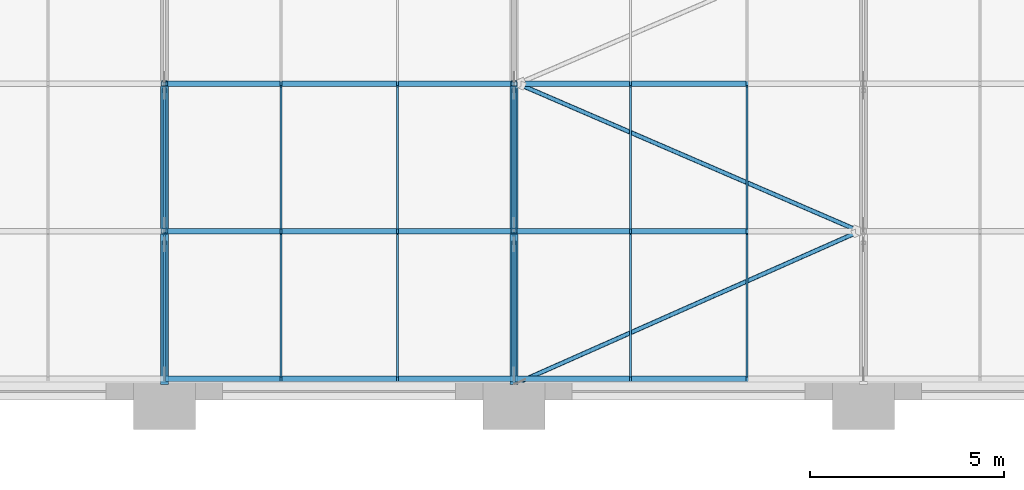
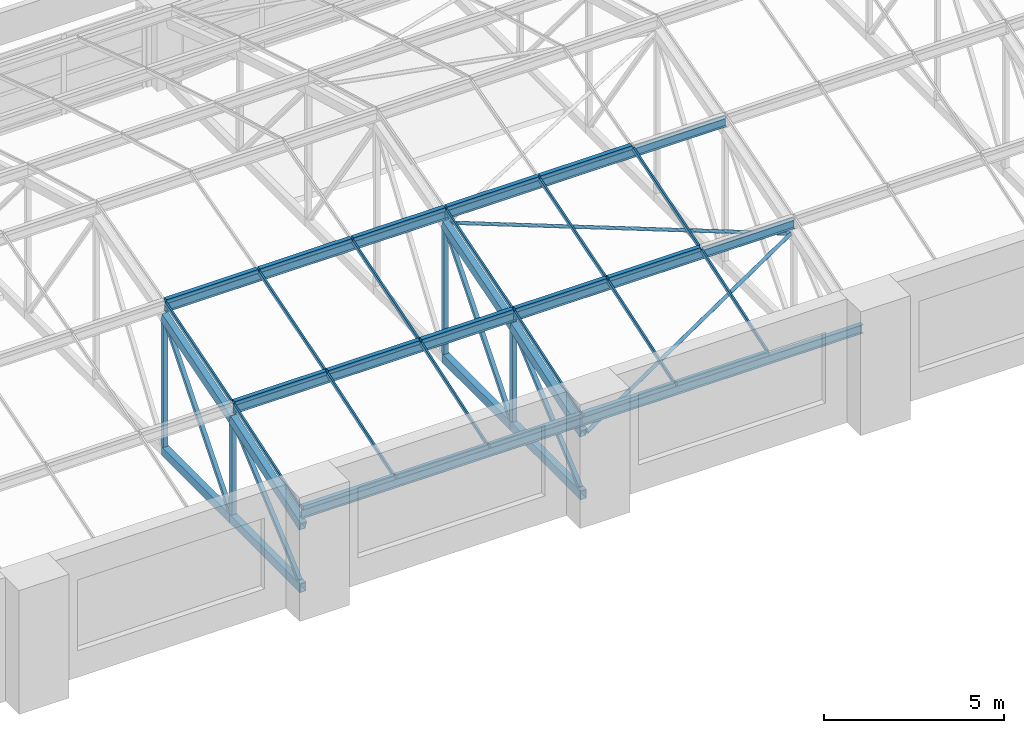
# One storey, part 16 of 82: 51 members, 1 element without a shape of its own.
"""IFC4 building model written with IfcOpenShell, lengths in metres."""

import ifcopenshell
import ifcopenshell.guid

model = None  # the IFC model being written
_history = None  # IfcOwnerHistory: only IFC2X3 demands one
_inside = {}  # id of a spatial element -> (the spatial element, [elements in it])
_under = {}  # id of a project, library or spatial element -> (it, [spatial elements below it])
_declared = {}  # id of a project -> (the project, [libraries it declares])
_typed = {}  # id of a type object -> (the type object, [elements of that type])
_made_of = {}  # id of a material, layer set ... -> (it, [elements and type objects made of it])


def new_model(schema):
    """Start an empty IFC model of exactly this schema.

    Asked for "IFC4X3", IfcOpenShell would pick the latest addendum, in which some entities
    have other attributes; the version numbers below select the first issue.
    IFC2X3 requires an IfcOwnerHistory on every rooted entity: one is made here for all.
    """
    global model, _history
    if schema == "IFC4X3":
        model = ifcopenshell.file(schema_version=(4, 3, 0, 0))
    else:
        model = ifcopenshell.file(schema=schema)
    _inside.clear()
    _under.clear()
    _declared.clear()
    _typed.clear()
    _made_of.clear()
    _history = None
    if model.schema == "IFC2X3":
        org = make("IfcOrganization", Name="unknown")
        user = make(
            "IfcPersonAndOrganization",
            ThePerson=make("IfcPerson", FamilyName="unknown"),
            TheOrganization=org,
        )
        app = make(
            "IfcApplication",
            ApplicationDeveloper=org,
            Version="unknown",
            ApplicationFullName="unknown",
            ApplicationIdentifier="unknown",
        )
        _history = make(
            "IfcOwnerHistory",
            OwningUser=user,
            OwningApplication=app,
            ChangeAction="ADDED",
            CreationDate=0,
        )
    return model


def make(cls, **values):
    """One entity of the class cls with the attributes given. An attribute that is None is left unset."""
    return model.create_entity(
        cls, **{name: value for name, value in values.items() if value is not None}
    )


def rooted(cls, **values):
    """An entity with a GlobalId (a new one), such as an element, a storey or a relation."""
    return make(cls, GlobalId=ifcopenshell.guid.new(), OwnerHistory=_history, **values)


def si_unit(unit_type, name, prefix=None):
    """IfcSIUnit, for example si_unit("LENGTHUNIT", "METRE", prefix="MILLI")."""
    return make("IfcSIUnit", UnitType=unit_type, Prefix=prefix, Name=name)


def assignment(units):
    """IfcUnitAssignment: the units of a project."""
    return None if units is None else make("IfcUnitAssignment", Units=units)


def point(xyz):
    """IfcCartesianPoint."""
    return None if xyz is None else make("IfcCartesianPoint", Coordinates=xyz)


def direction(xyz):
    """IfcDirection."""
    return None if xyz is None else make("IfcDirection", DirectionRatios=xyz)


def frame(location, z_axis=None, x_axis=None):
    """IfcAxis2Placement3D, a coordinate frame: its origin and axes. An axis left out is left unset."""
    return make(
        "IfcAxis2Placement3D",
        Location=point(location),
        Axis=direction(z_axis),
        RefDirection=direction(x_axis),
    )


def frame_2d(location, x_axis=None):
    """IfcAxis2Placement2D, a coordinate frame in the plane: its origin and x axis."""
    return make(
        "IfcAxis2Placement2D", Location=point(location), RefDirection=direction(x_axis)
    )


def origin():
    """The frame at (0, 0, 0) with its axes left unset."""
    return frame((0.0, 0.0, 0.0))


def origin_2d():
    """The frame at (0, 0) in the plane with its x axis left unset."""
    return frame_2d((0.0, 0.0))


def place(relative_to, where):
    """IfcLocalPlacement: puts the frame where relative to a parent placement (None: the world)."""
    return make(
        "IfcLocalPlacement", PlacementRelTo=relative_to, RelativePlacement=where
    )


def context(
    kind, dimensions, precision=None, world=None, true_north=None, identifier=None
):
    """IfcGeometricRepresentationContext, for example the 3D "Model" context."""
    return make(
        "IfcGeometricRepresentationContext",
        ContextIdentifier=identifier,
        ContextType=kind,
        CoordinateSpaceDimension=dimensions,
        Precision=precision,
        WorldCoordinateSystem=world,
        TrueNorth=true_north,
    )


def subcontext(parent, identifier, kind, view, scale=None):
    """IfcGeometricRepresentationSubContext, for example "Body" below "Model"."""
    return make(
        "IfcGeometricRepresentationSubContext",
        ContextIdentifier=identifier,
        ContextType=kind,
        ParentContext=parent,
        TargetScale=scale,
        TargetView=view,
    )


def project(units=None, contexts=None):
    """IfcProject with its units and contexts."""
    return rooted(
        "IfcProject",
        Name="project",
        RepresentationContexts=contexts,
        UnitsInContext=assignment(units),
    )


def spatial(cls, under=None, at=None, **own):
    """A site, building, storey or space (cls), placed at a placement, below another one or the project."""
    s = rooted(cls, ObjectPlacement=at, **own)
    if under is not None:
        _under.setdefault(under.id(), (under, []))[1].append(s)
    return s


def profile(cls, at=None, kind="AREA", **sizes):
    """A parametric profile (cls). Its sizes go by their IFC names, for example OverallWidth=200.0."""
    return make(cls, ProfileType=kind, Position=at, **sizes)


def rectangle(**sizes):
    """IfcRectangleProfileDef."""
    return profile("IfcRectangleProfileDef", **sizes)


def hollow_rectangle(**sizes):
    """IfcRectangleHollowProfileDef."""
    return profile("IfcRectangleHollowProfileDef", **sizes)


def hollow_circle(**sizes):
    """IfcCircleHollowProfileDef."""
    return profile("IfcCircleHollowProfileDef", **sizes)


def i_section(**sizes):
    """IfcIShapeProfileDef."""
    return profile("IfcIShapeProfileDef", **sizes)


def extrude(swept, where, along, depth):
    """IfcExtrudedAreaSolid: the profile swept, set in the frame where, extruded along a direction by depth."""
    return make(
        "IfcExtrudedAreaSolid",
        SweptArea=swept,
        Position=where,
        ExtrudedDirection=direction(along),
        Depth=depth,
    )


def shape(context_of_items, identifier, shape_type, items):
    """IfcShapeRepresentation: the items that make up one representation, for example the "Body"."""
    return make(
        "IfcShapeRepresentation",
        ContextOfItems=context_of_items,
        RepresentationIdentifier=identifier,
        RepresentationType=shape_type,
        Items=items,
    )


def material(Name=None, Category=None):
    """IfcMaterial."""
    return make("IfcMaterial", Name=Name, Category=Category)


def material_profile(
    of_material, cross_section, Name=None, Category=None, Priority=None
):
    """IfcMaterialProfile: a cross section and its material."""
    return make(
        "IfcMaterialProfile",
        Name=Name,
        Material=of_material,
        Profile=cross_section,
        Priority=Priority,
        Category=Category,
    )


def profile_set(profiles, Name=None, composite=None):
    """IfcMaterialProfileSet."""
    return make(
        "IfcMaterialProfileSet",
        Name=Name,
        MaterialProfiles=profiles,
        CompositeProfile=composite,
    )


def made_of(thing, what):
    """Note that an element or type object is made of a material, layer set ...; save() writes the relation."""
    if what is not None:
        _made_of.setdefault(what.id(), (what, []))[1].append(thing)
    return thing


def type_object(cls, material=None, **own):
    """A type object (cls), such as IfcWallType, which elements share."""
    return made_of(rooted(cls, **own), material)


def element(
    cls,
    number,
    at=None,
    inside=None,
    cuts=None,
    type_object=None,
    material=None,
    context=None,
    identifier="Body",
    shape_type=None,
    held_by="IfcProductDefinitionShape",
    body=None,
    shapes=None,
    **own,
):
    """One element of the class cls, such as IfcWall. Its Tag is "e" and its number.

    at: its placement. inside: the storey or other place that contains it. cuts: it is an
    opening in that element (IfcRelVoidsElement). A single representation is given by context,
    identifier, shape_type and body (its items); several are given by shapes. held_by: the class
    of the entity that holds the representations. save() writes the other relations.
    """
    e = rooted(cls, Tag="e%d" % number, ObjectPlacement=at, **own)
    if body is not None:
        shapes = [shape(context, identifier, shape_type, body)]
    if shapes is not None:
        e.Representation = make(held_by, Representations=shapes)
    if inside is not None:
        _inside.setdefault(inside.id(), (inside, []))[1].append(e)
    if cuts is not None:
        rooted(
            "IfcRelVoidsElement", RelatingBuildingElement=cuts, RelatedOpeningElement=e
        )
    if type_object is not None:
        _typed.setdefault(type_object.id(), (type_object, []))[1].append(e)
    return made_of(e, material)


def aggregate(whole, parts):
    """IfcRelAggregates: a whole, such as a stair, and the parts it consists of."""
    return rooted("IfcRelAggregates", RelatingObject=whole, RelatedObjects=parts)


def save(model, path):
    """Write the relations noted so far, then the file.

    IfcRelAggregates (storeys below a building ...), IfcRelContainedInSpatialStructure (elements
    in a storey), IfcRelDefinesByType, IfcRelAssociatesMaterial and IfcRelDeclares: one each for
    every whole, place, type object, material and project.
    """
    for whole, parts in _under.values():
        aggregate(whole, parts)
    for where, things in _inside.values():
        rooted(
            "IfcRelContainedInSpatialStructure",
            RelatedElements=things,
            RelatingStructure=where,
        )
    for kind, things in _typed.values():
        rooted("IfcRelDefinesByType", RelatedObjects=things, RelatingType=kind)
    for what, things in _made_of.values():
        rooted("IfcRelAssociatesMaterial", RelatedObjects=things, RelatingMaterial=what)
    for by, libraries in _declared.values():
        rooted("IfcRelDeclares", RelatingContext=by, RelatedDefinitions=libraries)
    model.write(path)


model = new_model("IFC4")

# Units and contexts
model_context = context("Model", 3, precision=1e-05, world=origin(), true_north=direction((0.0, 1.0)))
body_context = subcontext(model_context, "Body", "Model", "MODEL_VIEW")
ifc_project = project(units=[si_unit("LENGTHUNIT", "METRE"), si_unit("AREAUNIT", "SQUARE_METRE"), si_unit("VOLUMEUNIT", "CUBIC_METRE"), si_unit("PLANEANGLEUNIT", "RADIAN"), si_unit("MASSUNIT", "GRAM", prefix="KILO")], contexts=[model_context])

# Site, building, storey
site_placement = place(None, origin())
site = spatial("IfcSite", under=ifc_project, at=site_placement, CompositionType="ELEMENT")
building_placement = place(site_placement, origin())
building = spatial("IfcBuilding", under=site, at=building_placement, Name="Aravalli Gate Trade Fair Centre", CompositionType="ELEMENT")
storey_placement = place(building_placement, frame((0.0, 0.0, 19.199951171875)))
storey = spatial("IfcBuildingStorey", under=building, at=storey_placement, Name="L04", CompositionType="ELEMENT", Elevation=19.199951171875)

# Members
ifc_material_1 = material(Name="Steel E350", Category="steel")
ifc_material_profile_1 = material_profile(ifc_material_1, hollow_circle(Radius=0.05712890625, WallThickness=0.00439453125, at=origin_2d()), Name="CHS 114.3x4.5")
ifc_profile_set_1 = profile_set([ifc_material_profile_1], Name="Steel E350")
member_type_1 = type_object("IfcMemberType", Name="CHS 114.3x4.5 roof plan brace", PredefinedType="BRACE", material=ifc_profile_set_1)
member_1_placement = place(storey_placement, frame((69.10009765625, 109.60009765625, 2.2392578125), z_axis=(0.906225138753, 0.401621361848, 0.132122214631), x_axis=(-0.405173340738, 0.914239883157, 0.0)))
element("IfcMember", 1, at=member_1_placement, inside=storey, type_object=member_type_1, Name="Vault plan brace 8.1", PredefinedType="BRACE", context=body_context, shape_type="SweptSolid", body=[
    extrude(hollow_circle(Radius=0.05712890625, WallThickness=0.00439453125, at=origin_2d()), origin(), (0.0, 0.0, 1.0), 9.71044921875),
])
member_2_placement = place(storey_placement, frame((69.10009765625, 117.300048828125, 4.67333984375), z_axis=(0.911521506229, -0.393625353581, -0.119111815957), x_axis=(0.396447725805, 0.91805729707, 0.0)))
element("IfcMember", 2, at=member_2_placement, inside=storey, type_object=member_type_1, Name="Vault plan brace 8.2", PredefinedType="BRACE", context=body_context, shape_type="SweptSolid", body=[
    extrude(hollow_circle(Radius=0.05712890625, WallThickness=0.00439453125, at=origin_2d()), origin(), (0.0, 0.0, 1.0), 9.654052734375),
])
ifc_material_profile_2 = material_profile(ifc_material_1, i_section(OverallWidth=0.139892578125, OverallDepth=0.300048828125, WebThickness=0.0078125, FlangeThickness=0.01318359375, at=origin_2d()), Name="ISMB 300")
ifc_profile_set_2 = profile_set([ifc_material_profile_2], Name="Steel E350")
member_type_2 = type_object("IfcMemberType", Name="ISMB 300 roof purlin", PredefinedType="PURLIN", material=ifc_profile_set_2)
for number, where, z_axis, x_axis, name in (
    (3, (60.0, 109.699951171875, 2.60302734375), (1.0, 0.0, 0.0), (0.0, 1.0, 0.0), "Vault purlin 07-08 F0"),
    (4, (60.0, 113.5, 3.851318359375), (1.0, 0.0, 0.0), (0.0, 1.0, 0.0), "Vault purlin 07-08 F1"),
    (5, (60.0, 117.300048828125, 4.999267578125), (1.0, 0.0, 0.0), (0.0, 1.0, 0.0), "Vault purlin 07-08 F2"),
    (6, (69.0, 109.699951171875, 2.60302734375), (1.0, 0.0, 0.0), (0.0, 1.0, 0.0), "Vault purlin 08-09 F0"),
    (7, (69.0, 113.5, 3.851318359375), (1.0, 0.0, 0.0), (0.0, 1.0, 0.0), "Vault purlin 08-09 F1"),
    (8, (69.0, 117.300048828125, 4.999267578125), (1.0, 0.0, 0.0), (0.0, 1.0, 0.0), "Vault purlin 08-09 F2"),
):
    element("IfcMember", number, at=place(storey_placement, frame(where, z_axis=z_axis, x_axis=x_axis)), inside=storey, type_object=member_type_2, Name=name, PredefinedType="PURLIN", context=body_context, shape_type="SweptSolid", body=[
        extrude(i_section(OverallWidth=0.139892578125, OverallDepth=0.300048828125, WebThickness=0.0078125, FlangeThickness=0.01318359375, at=origin_2d()), origin(), (0.0, 0.0, 1.0), 9.0),
    ])
ifc_material_profile_3 = material_profile(ifc_material_1, hollow_rectangle(XDim=0.199951171875, YDim=0.300048828125, WallThickness=0.011962890625, at=origin_2d()), Name="RHS 300x200x12")
ifc_profile_set_3 = profile_set([ifc_material_profile_3], Name="Steel E350")
member_type_3 = type_object("IfcMemberType", Name="RHS 300x200x12 CT1 truss chord", PredefinedType="CHORD", material=ifc_profile_set_3)
member_3_placement = place(storey_placement, frame((60.0, 109.60009765625, 2.2392578125), z_axis=(0.0, 0.949918822061, 0.312496770373), x_axis=(-1.0, 0.0, 0.0)))
element("IfcMember", 9, at=member_3_placement, inside=storey, type_object=member_type_3, Name="Concourse vault truss CT1 line 07 top chord T1", PredefinedType="CHORD", context=body_context, shape_type="SweptSolid", body=[
    extrude(hollow_rectangle(XDim=0.199951171875, YDim=0.300048828125, WallThickness=0.011962890625, at=origin_2d()), origin(), (0.0, 0.0, 1.0), 4.10546875),
])
member_4_placement = place(storey_placement, frame((60.0, 109.60009765625, 0.150146484375), z_axis=(0.0, 1.0, 0.0), x_axis=(-1.0, 0.0, 0.0)))
element("IfcMember", 10, at=member_4_placement, inside=storey, type_object=member_type_3, Name="Concourse vault truss CT1 line 07 bottom chord B1", PredefinedType="CHORD", context=body_context, shape_type="SweptSolid", body=[
    extrude(hollow_rectangle(XDim=0.199951171875, YDim=0.300048828125, WallThickness=0.011962890625, at=origin_2d()), origin(), (0.0, 0.0, 1.0), 3.89990234375),
])
member_5_placement = place(storey_placement, frame((60.0, 113.5, 3.5234375), z_axis=(0.0, 0.957138110877, 0.289631898634), x_axis=(-1.0, 0.0, 0.0)))
element("IfcMember", 11, at=member_5_placement, inside=storey, type_object=member_type_3, Name="Concourse vault truss CT1 line 07 top chord T2", PredefinedType="CHORD", context=body_context, shape_type="SweptSolid", body=[
    extrude(hollow_rectangle(XDim=0.199951171875, YDim=0.300048828125, WallThickness=0.011962890625, at=origin_2d()), origin(), (0.0, 0.0, 1.0), 3.97021484375),
])
member_6_placement = place(storey_placement, frame((60.0, 113.5, 0.150146484375), z_axis=(0.0, 1.0, 0.0), x_axis=(-1.0, 0.0, 0.0)))
element("IfcMember", 12, at=member_6_placement, inside=storey, type_object=member_type_3, Name="Concourse vault truss CT1 line 07 bottom chord B2", PredefinedType="CHORD", context=body_context, shape_type="SweptSolid", body=[
    extrude(hollow_rectangle(XDim=0.199951171875, YDim=0.300048828125, WallThickness=0.011962890625, at=origin_2d()), origin(), (0.0, 0.0, 1.0), 3.800048828125),
])
member_7_placement = place(storey_placement, frame((69.0, 109.60009765625, 2.2392578125), z_axis=(0.0, 0.949918822061, 0.312496770373), x_axis=(-1.0, 0.0, 0.0)))
element("IfcMember", 13, at=member_7_placement, inside=storey, type_object=member_type_3, Name="Concourse vault truss CT1 line 08 top chord T1", PredefinedType="CHORD", context=body_context, shape_type="SweptSolid", body=[
    extrude(hollow_rectangle(XDim=0.199951171875, YDim=0.300048828125, WallThickness=0.011962890625, at=origin_2d()), origin(), (0.0, 0.0, 1.0), 4.10546875),
])
member_8_placement = place(storey_placement, frame((69.0, 109.60009765625, 0.150146484375), z_axis=(0.0, 1.0, 0.0), x_axis=(-1.0, 0.0, 0.0)))
element("IfcMember", 14, at=member_8_placement, inside=storey, type_object=member_type_3, Name="Concourse vault truss CT1 line 08 bottom chord B1", PredefinedType="CHORD", context=body_context, shape_type="SweptSolid", body=[
    extrude(hollow_rectangle(XDim=0.199951171875, YDim=0.300048828125, WallThickness=0.011962890625, at=origin_2d()), origin(), (0.0, 0.0, 1.0), 3.89990234375),
])
member_9_placement = place(storey_placement, frame((69.0, 113.5, 3.5234375), z_axis=(0.0, 0.957138110877, 0.289631898634), x_axis=(-1.0, 0.0, 0.0)))
element("IfcMember", 15, at=member_9_placement, inside=storey, type_object=member_type_3, Name="Concourse vault truss CT1 line 08 top chord T2", PredefinedType="CHORD", context=body_context, shape_type="SweptSolid", body=[
    extrude(hollow_rectangle(XDim=0.199951171875, YDim=0.300048828125, WallThickness=0.011962890625, at=origin_2d()), origin(), (0.0, 0.0, 1.0), 3.97021484375),
])
member_10_placement = place(storey_placement, frame((69.0, 113.5, 0.150146484375), z_axis=(0.0, 1.0, 0.0), x_axis=(-1.0, 0.0, 0.0)))
element("IfcMember", 16, at=member_10_placement, inside=storey, type_object=member_type_3, Name="Concourse vault truss CT1 line 08 bottom chord B2", PredefinedType="CHORD", context=body_context, shape_type="SweptSolid", body=[
    extrude(hollow_rectangle(XDim=0.199951171875, YDim=0.300048828125, WallThickness=0.011962890625, at=origin_2d()), origin(), (0.0, 0.0, 1.0), 3.800048828125),
])
ifc_material_profile_4 = material_profile(ifc_material_1, hollow_rectangle(XDim=0.125, YDim=0.125, WallThickness=0.006103515625, at=origin_2d()), Name="SHS 125x125x6")
ifc_profile_set_4 = profile_set([ifc_material_profile_4], Name="Steel E350")
member_type_4 = type_object("IfcMemberType", Name="SHS 125x125x6 CT1 truss diagonal", PredefinedType="BRACE", material=ifc_profile_set_4)
member_11_placement = place(storey_placement, frame((60.0, 109.7734375, 0.300048828125), z_axis=(0.0, 0.756430814482, 0.654073713661), x_axis=(-1.0, 0.0, 0.0)))
element("IfcMember", 17, at=member_11_placement, inside=storey, type_object=member_type_4, Name="Concourse vault truss CT1 line 07 diagonal D1", PredefinedType="BRACE", context=body_context, shape_type="SweptSolid", body=[
    extrude(hollow_rectangle(XDim=0.125, YDim=0.125, WallThickness=0.006103515625, at=origin_2d()), origin(), (0.0, 0.0, 1.0), 4.53662109375),
])
member_12_placement = place(storey_placement, frame((60.0, 113.6259765625, 0.300048828125), z_axis=(0.0, 0.643253159982, 0.765653558845), x_axis=(-1.0, 0.0, 0.0)))
element("IfcMember", 18, at=member_12_placement, inside=storey, type_object=member_type_4, Name="Concourse vault truss CT1 line 07 diagonal D2", PredefinedType="BRACE", context=body_context, shape_type="SweptSolid", body=[
    extrude(hollow_rectangle(XDim=0.125, YDim=0.125, WallThickness=0.006103515625, at=origin_2d()), origin(), (0.0, 0.0, 1.0), 5.437255859375),
])
member_13_placement = place(storey_placement, frame((69.0, 109.7734375, 0.300048828125), z_axis=(0.0, 0.756430814482, 0.654073713661), x_axis=(-1.0, 0.0, 0.0)))
element("IfcMember", 19, at=member_13_placement, inside=storey, type_object=member_type_4, Name="Concourse vault truss CT1 line 08 diagonal D1", PredefinedType="BRACE", context=body_context, shape_type="SweptSolid", body=[
    extrude(hollow_rectangle(XDim=0.125, YDim=0.125, WallThickness=0.006103515625, at=origin_2d()), origin(), (0.0, 0.0, 1.0), 4.53662109375),
])
member_14_placement = place(storey_placement, frame((69.0, 113.6259765625, 0.300048828125), z_axis=(0.0, 0.643253159982, 0.765653558845), x_axis=(-1.0, 0.0, 0.0)))
element("IfcMember", 20, at=member_14_placement, inside=storey, type_object=member_type_4, Name="Concourse vault truss CT1 line 08 diagonal D2", PredefinedType="BRACE", context=body_context, shape_type="SweptSolid", body=[
    extrude(hollow_rectangle(XDim=0.125, YDim=0.125, WallThickness=0.006103515625, at=origin_2d()), origin(), (0.0, 0.0, 1.0), 5.437255859375),
])
ifc_material_profile_5 = material_profile(ifc_material_1, hollow_rectangle(XDim=0.14990234375, YDim=0.14990234375, WallThickness=0.006103515625, at=origin_2d()), Name="SHS 150x150x6")
ifc_profile_set_5 = profile_set([ifc_material_profile_5], Name="Steel E350")
member_type_5 = type_object("IfcMemberType", Name="SHS 150x150x6 CT1 truss post", PredefinedType="POST", material=ifc_profile_set_5)
member_15_placement = place(storey_placement, frame((60.0, 113.5, 0.300048828125), z_axis=(0.0, 0.0, 1.0), x_axis=(1.0, 0.0, 0.0)))
element("IfcMember", 21, at=member_15_placement, inside=storey, type_object=member_type_5, Name="Concourse vault truss CT1 line 07 post V1", PredefinedType="POST", context=body_context, shape_type="SweptSolid", body=[
    extrude(hollow_rectangle(XDim=0.14990234375, YDim=0.14990234375, WallThickness=0.006103515625, at=origin_2d()), origin(), (0.0, 0.0, 1.0), 3.064208984375),
])
member_16_placement = place(storey_placement, frame((60.0, 117.300048828125, 0.300048828125), z_axis=(0.0, 0.0, 1.0), x_axis=(1.0, 0.0, 0.0)))
element("IfcMember", 22, at=member_16_placement, inside=storey, type_object=member_type_5, Name="Concourse vault truss CT1 line 07 post V2", PredefinedType="POST", context=body_context, shape_type="SweptSolid", body=[
    extrude(hollow_rectangle(XDim=0.14990234375, YDim=0.14990234375, WallThickness=0.006103515625, at=origin_2d()), origin(), (0.0, 0.0, 1.0), 4.216552734375),
])
member_17_placement = place(storey_placement, frame((69.0, 113.5, 0.300048828125), z_axis=(0.0, 0.0, 1.0), x_axis=(1.0, 0.0, 0.0)))
element("IfcMember", 23, at=member_17_placement, inside=storey, type_object=member_type_5, Name="Concourse vault truss CT1 line 08 post V1", PredefinedType="POST", context=body_context, shape_type="SweptSolid", body=[
    extrude(hollow_rectangle(XDim=0.14990234375, YDim=0.14990234375, WallThickness=0.006103515625, at=origin_2d()), origin(), (0.0, 0.0, 1.0), 3.064208984375),
])
member_18_placement = place(storey_placement, frame((69.0, 117.300048828125, 0.300048828125), z_axis=(0.0, 0.0, 1.0), x_axis=(1.0, 0.0, 0.0)))
element("IfcMember", 24, at=member_18_placement, inside=storey, type_object=member_type_5, Name="Concourse vault truss CT1 line 08 post V2", PredefinedType="POST", context=body_context, shape_type="SweptSolid", body=[
    extrude(hollow_rectangle(XDim=0.14990234375, YDim=0.14990234375, WallThickness=0.006103515625, at=origin_2d()), origin(), (0.0, 0.0, 1.0), 4.216552734375),
])
ifc_material_2 = material(Name="Aluminium", Category="aluminium")
ifc_material_profile_6 = material_profile(ifc_material_2, rectangle(XDim=0.139892578125, YDim=0.1201171875, at=origin_2d()), Name="Vault fold cap 140 x 120")
ifc_profile_set_6 = profile_set([ifc_material_profile_6], Name="Aluminium")
member_type_6 = type_object("IfcMemberType", Name="Vault fold cap 140 x 120", PredefinedType="USERDEFINED", material=ifc_profile_set_6)
for number, where, z_axis, x_axis, name in (
    (25, (60.030029296875, 109.699951171875, 2.81298828125), (1.0, 0.0, 0.0), (0.0, 1.0, 0.0), "Vault fold cap w16.0"),
    (26, (60.030029296875, 113.5, 4.061279296875), (1.0, 0.0, 0.0), (0.0, 1.0, 0.0), "Vault fold cap w16.1"),
    (27, (60.030029296875, 117.300048828125, 5.209228515625), (1.0, 0.0, 0.0), (0.0, 1.0, 0.0), "Vault fold cap w16.2"),
    (28, (63.030029296875, 109.699951171875, 2.81298828125), (1.0, 0.0, 0.0), (0.0, 1.0, 0.0), "Vault fold cap w17.0"),
    (29, (63.030029296875, 113.5, 4.061279296875), (1.0, 0.0, 0.0), (0.0, 1.0, 0.0), "Vault fold cap w17.1"),
    (30, (63.030029296875, 117.300048828125, 5.209228515625), (1.0, 0.0, 0.0), (0.0, 1.0, 0.0), "Vault fold cap w17.2"),
    (31, (66.030029296875, 109.699951171875, 2.81298828125), (1.0, 0.0, 0.0), (0.0, 1.0, 0.0), "Vault fold cap w18.0"),
    (32, (66.030029296875, 113.5, 4.061279296875), (1.0, 0.0, 0.0), (0.0, 1.0, 0.0), "Vault fold cap w18.1"),
    (33, (66.030029296875, 117.300048828125, 5.209228515625), (1.0, 0.0, 0.0), (0.0, 1.0, 0.0), "Vault fold cap w18.2"),
    (34, (69.030029296875, 109.699951171875, 2.81298828125), (1.0, 0.0, 0.0), (0.0, 1.0, 0.0), "Vault fold cap w19.0"),
    (35, (69.030029296875, 113.5, 4.061279296875), (1.0, 0.0, 0.0), (0.0, 1.0, 0.0), "Vault fold cap w19.1"),
    (36, (69.030029296875, 117.300048828125, 5.209228515625), (1.0, 0.0, 0.0), (0.0, 1.0, 0.0), "Vault fold cap w19.2"),
    (37, (72.030029296875, 109.699951171875, 2.81298828125), (1.0, 0.0, 0.0), (0.0, 1.0, 0.0), "Vault fold cap w20.0"),
    (38, (72.030029296875, 113.5, 4.061279296875), (1.0, 0.0, 0.0), (0.0, 1.0, 0.0), "Vault fold cap w20.1"),
    (39, (72.030029296875, 117.300048828125, 5.209228515625), (1.0, 0.0, 0.0), (0.0, 1.0, 0.0), "Vault fold cap w20.2"),
):
    element("IfcMember", number, at=place(storey_placement, frame(where, z_axis=z_axis, x_axis=x_axis)), inside=storey, type_object=member_type_6, Name=name, ObjectType="FOLD CAP", PredefinedType="USERDEFINED", context=body_context, shape_type="SweptSolid", body=[
        extrude(rectangle(XDim=0.139892578125, YDim=0.1201171875, at=origin_2d()), origin(), (0.0, 0.0, 1.0), 2.93994140625),
    ])

# Curtain wall, members
ifc_material_3 = material(Name="Aluminium and glass", Category="aluminium")
curtain_wall_type = type_object("IfcCurtainWallType", Name="Vault curtain wall, sloped glazing", PredefinedType="NOTDEFINED", material=ifc_material_3)
curtain_wall_placement = place(storey_placement, origin())
curtain_wall = element("IfcCurtainWall", 40, at=curtain_wall_placement, inside=storey, type_object=curtain_wall_type, Name="Vault curtain wall w", PredefinedType="NOTDEFINED")
ifc_material_profile_7 = material_profile(ifc_material_2, rectangle(XDim=0.06005859375, YDim=0.1201171875, at=origin_2d()), Name="Vault glazing bar 60 x 120")
ifc_profile_set_7 = profile_set([ifc_material_profile_7], Name="Aluminium")
member_type_7 = type_object("IfcMemberType", Name="Vault glazing bar 60 x 120", PredefinedType="USERDEFINED", material=ifc_profile_set_7)
member_19_placement = place(storey_placement, frame((60.0, 109.77001953125, 2.81005859375), z_axis=(0.0, 0.949930492103, 0.31246129388), x_axis=(-1.0, 0.0, 0.0)))
member_19 = element("IfcMember", 41, at=member_19_placement, type_object=member_type_7, Name="Vault glazing bar w16.1", ObjectType="GLAZING BAR", PredefinedType="USERDEFINED", context=body_context, shape_type="SweptSolid", body=[
    extrude(rectangle(XDim=0.06005859375, YDim=0.1201171875, at=origin_2d()), origin(), (0.0, 0.0, 1.0), 3.852783203125),
])
member_20_placement = place(storey_placement, frame((60.0, 113.570068359375, 4.05859375), z_axis=(0.0, 0.957125834694, 0.289672464279), x_axis=(-1.0, 0.0, 0.0)))
member_20 = element("IfcMember", 42, at=member_20_placement, type_object=member_type_7, Name="Vault glazing bar w16.2", ObjectType="GLAZING BAR", PredefinedType="USERDEFINED", context=body_context, shape_type="SweptSolid", body=[
    extrude(rectangle(XDim=0.06005859375, YDim=0.1201171875, at=origin_2d()), origin(), (0.0, 0.0, 1.0), 3.823974609375),
])
member_21_placement = place(storey_placement, frame((63.0, 109.77001953125, 2.81005859375), z_axis=(0.0, 0.949930492103, 0.31246129388), x_axis=(-1.0, 0.0, 0.0)))
member_21 = element("IfcMember", 43, at=member_21_placement, type_object=member_type_7, Name="Vault glazing bar w17.1", ObjectType="GLAZING BAR", PredefinedType="USERDEFINED", context=body_context, shape_type="SweptSolid", body=[
    extrude(rectangle(XDim=0.06005859375, YDim=0.1201171875, at=origin_2d()), origin(), (0.0, 0.0, 1.0), 3.852783203125),
])
member_22_placement = place(storey_placement, frame((63.0, 113.570068359375, 4.05859375), z_axis=(0.0, 0.957125834694, 0.289672464279), x_axis=(-1.0, 0.0, 0.0)))
member_22 = element("IfcMember", 44, at=member_22_placement, type_object=member_type_7, Name="Vault glazing bar w17.2", ObjectType="GLAZING BAR", PredefinedType="USERDEFINED", context=body_context, shape_type="SweptSolid", body=[
    extrude(rectangle(XDim=0.06005859375, YDim=0.1201171875, at=origin_2d()), origin(), (0.0, 0.0, 1.0), 3.823974609375),
])
member_23_placement = place(storey_placement, frame((66.0, 109.77001953125, 2.81005859375), z_axis=(0.0, 0.949930492103, 0.31246129388), x_axis=(-1.0, 0.0, 0.0)))
member_23 = element("IfcMember", 45, at=member_23_placement, type_object=member_type_7, Name="Vault glazing bar w18.1", ObjectType="GLAZING BAR", PredefinedType="USERDEFINED", context=body_context, shape_type="SweptSolid", body=[
    extrude(rectangle(XDim=0.06005859375, YDim=0.1201171875, at=origin_2d()), origin(), (0.0, 0.0, 1.0), 3.852783203125),
])
member_24_placement = place(storey_placement, frame((66.0, 113.570068359375, 4.05859375), z_axis=(0.0, 0.957125834694, 0.289672464279), x_axis=(-1.0, 0.0, 0.0)))
member_24 = element("IfcMember", 46, at=member_24_placement, type_object=member_type_7, Name="Vault glazing bar w18.2", ObjectType="GLAZING BAR", PredefinedType="USERDEFINED", context=body_context, shape_type="SweptSolid", body=[
    extrude(rectangle(XDim=0.06005859375, YDim=0.1201171875, at=origin_2d()), origin(), (0.0, 0.0, 1.0), 3.823974609375),
])
member_25_placement = place(storey_placement, frame((69.0, 109.77001953125, 2.81005859375), z_axis=(0.0, 0.949930492103, 0.31246129388), x_axis=(-1.0, 0.0, 0.0)))
member_25 = element("IfcMember", 47, at=member_25_placement, type_object=member_type_7, Name="Vault glazing bar w19.1", ObjectType="GLAZING BAR", PredefinedType="USERDEFINED", context=body_context, shape_type="SweptSolid", body=[
    extrude(rectangle(XDim=0.06005859375, YDim=0.1201171875, at=origin_2d()), origin(), (0.0, 0.0, 1.0), 3.852783203125),
])
member_26_placement = place(storey_placement, frame((69.0, 113.570068359375, 4.05859375), z_axis=(0.0, 0.957125834694, 0.289672464279), x_axis=(-1.0, 0.0, 0.0)))
member_26 = element("IfcMember", 48, at=member_26_placement, type_object=member_type_7, Name="Vault glazing bar w19.2", ObjectType="GLAZING BAR", PredefinedType="USERDEFINED", context=body_context, shape_type="SweptSolid", body=[
    extrude(rectangle(XDim=0.06005859375, YDim=0.1201171875, at=origin_2d()), origin(), (0.0, 0.0, 1.0), 3.823974609375),
])
member_27_placement = place(storey_placement, frame((72.0, 109.77001953125, 2.81005859375), z_axis=(0.0, 0.949930492103, 0.31246129388), x_axis=(-1.0, 0.0, 0.0)))
member_27 = element("IfcMember", 49, at=member_27_placement, type_object=member_type_7, Name="Vault glazing bar w20.1", ObjectType="GLAZING BAR", PredefinedType="USERDEFINED", context=body_context, shape_type="SweptSolid", body=[
    extrude(rectangle(XDim=0.06005859375, YDim=0.1201171875, at=origin_2d()), origin(), (0.0, 0.0, 1.0), 3.852783203125),
])
member_28_placement = place(storey_placement, frame((72.0, 113.570068359375, 4.05859375), z_axis=(0.0, 0.957125834694, 0.289672464279), x_axis=(-1.0, 0.0, 0.0)))
member_28 = element("IfcMember", 50, at=member_28_placement, type_object=member_type_7, Name="Vault glazing bar w20.2", ObjectType="GLAZING BAR", PredefinedType="USERDEFINED", context=body_context, shape_type="SweptSolid", body=[
    extrude(rectangle(XDim=0.06005859375, YDim=0.1201171875, at=origin_2d()), origin(), (0.0, 0.0, 1.0), 3.823974609375),
])
member_29_placement = place(storey_placement, frame((75.0, 109.77001953125, 2.81005859375), z_axis=(0.0, 0.949930492103, 0.31246129388), x_axis=(-1.0, 0.0, 0.0)))
member_29 = element("IfcMember", 51, at=member_29_placement, type_object=member_type_7, Name="Vault glazing bar w21.1", ObjectType="GLAZING BAR", PredefinedType="USERDEFINED", context=body_context, shape_type="SweptSolid", body=[
    extrude(rectangle(XDim=0.06005859375, YDim=0.1201171875, at=origin_2d()), origin(), (0.0, 0.0, 1.0), 3.852783203125),
])
member_30_placement = place(storey_placement, frame((75.0, 113.570068359375, 4.05859375), z_axis=(0.0, 0.957125834694, 0.289672464279), x_axis=(-1.0, 0.0, 0.0)))
member_30 = element("IfcMember", 52, at=member_30_placement, type_object=member_type_7, Name="Vault glazing bar w21.2", ObjectType="GLAZING BAR", PredefinedType="USERDEFINED", context=body_context, shape_type="SweptSolid", body=[
    extrude(rectangle(XDim=0.06005859375, YDim=0.1201171875, at=origin_2d()), origin(), (0.0, 0.0, 1.0), 3.823974609375),
])
aggregate(curtain_wall, [member_19, member_20, member_21, member_22, member_23, member_24, member_25, member_26, member_27, member_28, member_29, member_30])

save(model, "model.ifc")
